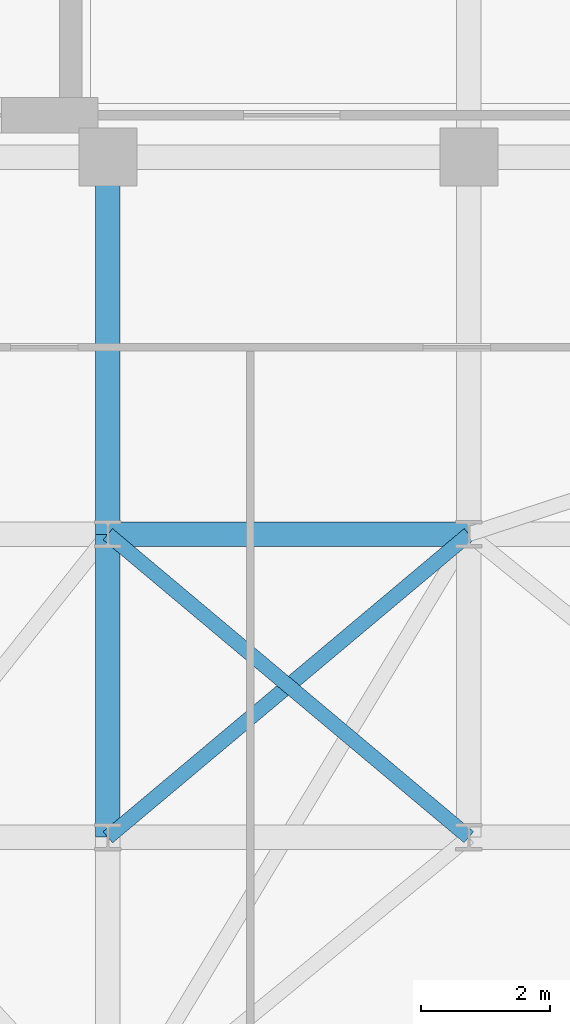
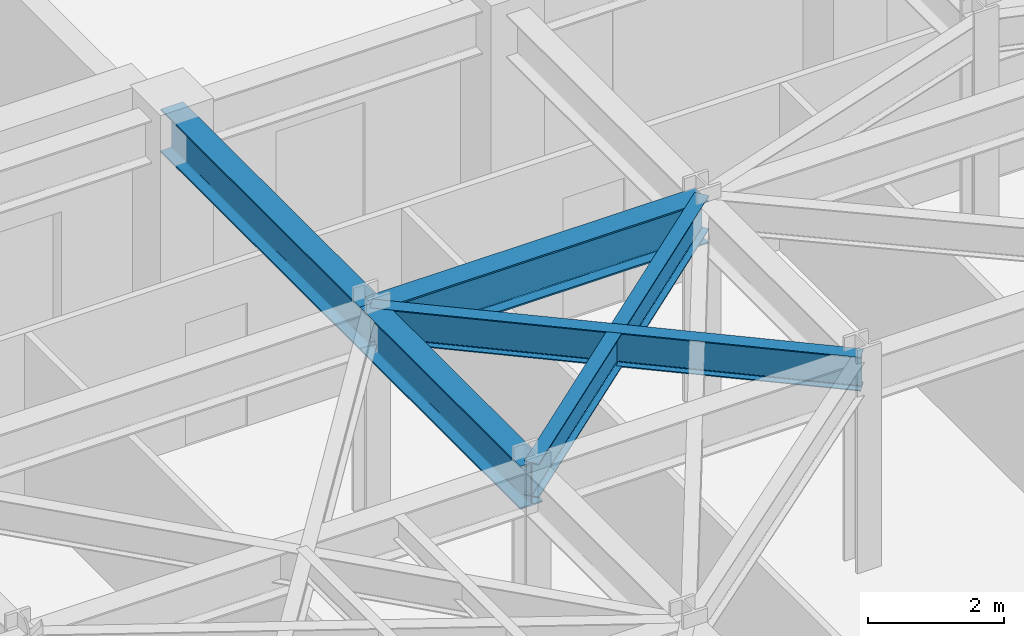
# One storey, part 11 of 26: 5 beams.
"""IFC4 building model written with IfcOpenShell, lengths in metres."""

import ifcopenshell
import ifcopenshell.guid

model = None  # the IFC model being written
_history = None  # IfcOwnerHistory: only IFC2X3 demands one
_inside = {}  # id of a spatial element -> (the spatial element, [elements in it])
_under = {}  # id of a project, library or spatial element -> (it, [spatial elements below it])
_declared = {}  # id of a project -> (the project, [libraries it declares])
_typed = {}  # id of a type object -> (the type object, [elements of that type])
_made_of = {}  # id of a material, layer set ... -> (it, [elements and type objects made of it])


def new_model(schema):
    """Start an empty IFC model of exactly this schema.

    Asked for "IFC4X3", IfcOpenShell would pick the latest addendum, in which some entities
    have other attributes; the version numbers below select the first issue.
    IFC2X3 requires an IfcOwnerHistory on every rooted entity: one is made here for all.
    """
    global model, _history
    if schema == "IFC4X3":
        model = ifcopenshell.file(schema_version=(4, 3, 0, 0))
    else:
        model = ifcopenshell.file(schema=schema)
    _inside.clear()
    _under.clear()
    _declared.clear()
    _typed.clear()
    _made_of.clear()
    _history = None
    if model.schema == "IFC2X3":
        org = make("IfcOrganization", Name="unknown")
        user = make(
            "IfcPersonAndOrganization",
            ThePerson=make("IfcPerson", FamilyName="unknown"),
            TheOrganization=org,
        )
        app = make(
            "IfcApplication",
            ApplicationDeveloper=org,
            Version="unknown",
            ApplicationFullName="unknown",
            ApplicationIdentifier="unknown",
        )
        _history = make(
            "IfcOwnerHistory",
            OwningUser=user,
            OwningApplication=app,
            ChangeAction="ADDED",
            CreationDate=0,
        )
    return model


def make(cls, **values):
    """One entity of the class cls with the attributes given. An attribute that is None is left unset."""
    return model.create_entity(
        cls, **{name: value for name, value in values.items() if value is not None}
    )


def rooted(cls, **values):
    """An entity with a GlobalId (a new one), such as an element, a storey or a relation."""
    return make(cls, GlobalId=ifcopenshell.guid.new(), OwnerHistory=_history, **values)


def si_unit(unit_type, name, prefix=None):
    """IfcSIUnit, for example si_unit("LENGTHUNIT", "METRE", prefix="MILLI")."""
    return make("IfcSIUnit", UnitType=unit_type, Prefix=prefix, Name=name)


def assignment(units):
    """IfcUnitAssignment: the units of a project."""
    return None if units is None else make("IfcUnitAssignment", Units=units)


def point(xyz):
    """IfcCartesianPoint."""
    return None if xyz is None else make("IfcCartesianPoint", Coordinates=xyz)


def direction(xyz):
    """IfcDirection."""
    return None if xyz is None else make("IfcDirection", DirectionRatios=xyz)


def frame(location, z_axis=None, x_axis=None):
    """IfcAxis2Placement3D, a coordinate frame: its origin and axes. An axis left out is left unset."""
    return make(
        "IfcAxis2Placement3D",
        Location=point(location),
        Axis=direction(z_axis),
        RefDirection=direction(x_axis),
    )


def frame_2d(location, x_axis=None):
    """IfcAxis2Placement2D, a coordinate frame in the plane: its origin and x axis."""
    return make(
        "IfcAxis2Placement2D", Location=point(location), RefDirection=direction(x_axis)
    )


def origin():
    """The frame at (0, 0, 0) with its axes left unset."""
    return frame((0.0, 0.0, 0.0))


def origin_2d():
    """The frame at (0, 0) in the plane with its x axis left unset."""
    return frame_2d((0.0, 0.0))


def place(relative_to, where):
    """IfcLocalPlacement: puts the frame where relative to a parent placement (None: the world)."""
    return make(
        "IfcLocalPlacement", PlacementRelTo=relative_to, RelativePlacement=where
    )


def context(
    kind, dimensions, precision=None, world=None, true_north=None, identifier=None
):
    """IfcGeometricRepresentationContext, for example the 3D "Model" context."""
    return make(
        "IfcGeometricRepresentationContext",
        ContextIdentifier=identifier,
        ContextType=kind,
        CoordinateSpaceDimension=dimensions,
        Precision=precision,
        WorldCoordinateSystem=world,
        TrueNorth=true_north,
    )


def subcontext(parent, identifier, kind, view, scale=None):
    """IfcGeometricRepresentationSubContext, for example "Body" below "Model"."""
    return make(
        "IfcGeometricRepresentationSubContext",
        ContextIdentifier=identifier,
        ContextType=kind,
        ParentContext=parent,
        TargetScale=scale,
        TargetView=view,
    )


def project(units=None, contexts=None):
    """IfcProject with its units and contexts."""
    return rooted(
        "IfcProject",
        Name="project",
        RepresentationContexts=contexts,
        UnitsInContext=assignment(units),
    )


def spatial(cls, under=None, at=None, **own):
    """A site, building, storey or space (cls), placed at a placement, below another one or the project."""
    s = rooted(cls, ObjectPlacement=at, **own)
    if under is not None:
        _under.setdefault(under.id(), (under, []))[1].append(s)
    return s


def profile(cls, at=None, kind="AREA", **sizes):
    """A parametric profile (cls). Its sizes go by their IFC names, for example OverallWidth=200.0."""
    return make(cls, ProfileType=kind, Position=at, **sizes)


def i_section(**sizes):
    """IfcIShapeProfileDef."""
    return profile("IfcIShapeProfileDef", **sizes)


def extrude(swept, where, along, depth):
    """IfcExtrudedAreaSolid: the profile swept, set in the frame where, extruded along a direction by depth."""
    return make(
        "IfcExtrudedAreaSolid",
        SweptArea=swept,
        Position=where,
        ExtrudedDirection=direction(along),
        Depth=depth,
    )


def shape(context_of_items, identifier, shape_type, items):
    """IfcShapeRepresentation: the items that make up one representation, for example the "Body"."""
    return make(
        "IfcShapeRepresentation",
        ContextOfItems=context_of_items,
        RepresentationIdentifier=identifier,
        RepresentationType=shape_type,
        Items=items,
    )


def material(Name=None, Category=None):
    """IfcMaterial."""
    return make("IfcMaterial", Name=Name, Category=Category)


def material_profile(
    of_material, cross_section, Name=None, Category=None, Priority=None
):
    """IfcMaterialProfile: a cross section and its material."""
    return make(
        "IfcMaterialProfile",
        Name=Name,
        Material=of_material,
        Profile=cross_section,
        Priority=Priority,
        Category=Category,
    )


def profile_set(profiles, Name=None, composite=None):
    """IfcMaterialProfileSet."""
    return make(
        "IfcMaterialProfileSet",
        Name=Name,
        MaterialProfiles=profiles,
        CompositeProfile=composite,
    )


def made_of(thing, what):
    """Note that an element or type object is made of a material, layer set ...; save() writes the relation."""
    if what is not None:
        _made_of.setdefault(what.id(), (what, []))[1].append(thing)
    return thing


def type_object(cls, material=None, **own):
    """A type object (cls), such as IfcWallType, which elements share."""
    return made_of(rooted(cls, **own), material)


def element(
    cls,
    number,
    at=None,
    inside=None,
    cuts=None,
    type_object=None,
    material=None,
    context=None,
    identifier="Body",
    shape_type=None,
    held_by="IfcProductDefinitionShape",
    body=None,
    shapes=None,
    **own,
):
    """One element of the class cls, such as IfcWall. Its Tag is "e" and its number.

    at: its placement. inside: the storey or other place that contains it. cuts: it is an
    opening in that element (IfcRelVoidsElement). A single representation is given by context,
    identifier, shape_type and body (its items); several are given by shapes. held_by: the class
    of the entity that holds the representations. save() writes the other relations.
    """
    e = rooted(cls, Tag="e%d" % number, ObjectPlacement=at, **own)
    if body is not None:
        shapes = [shape(context, identifier, shape_type, body)]
    if shapes is not None:
        e.Representation = make(held_by, Representations=shapes)
    if inside is not None:
        _inside.setdefault(inside.id(), (inside, []))[1].append(e)
    if cuts is not None:
        rooted(
            "IfcRelVoidsElement", RelatingBuildingElement=cuts, RelatedOpeningElement=e
        )
    if type_object is not None:
        _typed.setdefault(type_object.id(), (type_object, []))[1].append(e)
    return made_of(e, material)


def aggregate(whole, parts):
    """IfcRelAggregates: a whole, such as a stair, and the parts it consists of."""
    return rooted("IfcRelAggregates", RelatingObject=whole, RelatedObjects=parts)


def save(model, path):
    """Write the relations noted so far, then the file.

    IfcRelAggregates (storeys below a building ...), IfcRelContainedInSpatialStructure (elements
    in a storey), IfcRelDefinesByType, IfcRelAssociatesMaterial and IfcRelDeclares: one each for
    every whole, place, type object, material and project.
    """
    for whole, parts in _under.values():
        aggregate(whole, parts)
    for where, things in _inside.values():
        rooted(
            "IfcRelContainedInSpatialStructure",
            RelatedElements=things,
            RelatingStructure=where,
        )
    for kind, things in _typed.values():
        rooted("IfcRelDefinesByType", RelatedObjects=things, RelatingType=kind)
    for what, things in _made_of.values():
        rooted("IfcRelAssociatesMaterial", RelatedObjects=things, RelatingMaterial=what)
    for by, libraries in _declared.values():
        rooted("IfcRelDeclares", RelatingContext=by, RelatedDefinitions=libraries)
    model.write(path)


model = new_model("IFC4")

# Units and contexts
model_context = context("Model", 3, precision=1e-05, world=origin(), true_north=direction((0.0, 1.0)))
body_context = subcontext(model_context, "Body", "Model", "MODEL_VIEW")
ifc_project = project(units=[si_unit("LENGTHUNIT", "METRE"), si_unit("AREAUNIT", "SQUARE_METRE"), si_unit("VOLUMEUNIT", "CUBIC_METRE"), si_unit("PLANEANGLEUNIT", "RADIAN"), si_unit("MASSUNIT", "GRAM", prefix="KILO")], contexts=[model_context])

# Site, building, storey
site_placement = place(None, origin())
site = spatial("IfcSite", under=ifc_project, at=site_placement, CompositionType="ELEMENT")
building_placement = place(site_placement, origin())
building = spatial("IfcBuilding", under=site, at=building_placement, Name="Kravanh Interchange Tower", CompositionType="ELEMENT")
storey_placement = place(building_placement, frame((0.0, 0.0, 180.5)))
storey = spatial("IfcBuildingStorey", under=building, at=storey_placement, Name="L43", CompositionType="ELEMENT", Elevation=180.5)

# Beams
ifc_material_1 = material(Name="Structural Steel S355", Category="steel")
ifc_material_profile_1 = material_profile(ifc_material_1, i_section(OverallWidth=0.381103515625, OverallDepth=0.77294921875, WebThickness=0.0166015625, FlangeThickness=0.027099609375, FilletRadius=0.02490234375, at=origin_2d()), Name="W30X173")
ifc_profile_set_1 = profile_set([ifc_material_profile_1], Name="Structural Steel S355")
beam_type_1 = type_object("IfcBeamType", Name="Floor Beam W30X173 Structural Steel S355", PredefinedType="BEAM", material=ifc_profile_set_1)
beam_1_placement = place(storey_placement, frame((27.199951171875, 37.35009765625, 3.368408203125), z_axis=(0.0, -1.0, 0.0), x_axis=(1.0, 0.0, 0.0)))
element("IfcBeam", 1, at=beam_1_placement, inside=storey, type_object=beam_type_1, Name="L43 Primary Floor Girder 24", PredefinedType="BEAM", context=body_context, shape_type="SweptSolid", body=[
    extrude(i_section(OverallWidth=0.381103515625, OverallDepth=0.77294921875, WebThickness=0.0166015625, FlangeThickness=0.027099609375, FilletRadius=0.02490234375, at=origin_2d()), origin(), (0.0, 0.0, 1.0), 5.85009765625),
])
beam_2_placement = place(storey_placement, frame((27.199951171875, 26.800048828125, 3.368408203125), z_axis=(0.0, 1.0, 0.0), x_axis=(-1.0, 0.0, 0.0)))
element("IfcBeam", 2, at=beam_2_placement, inside=storey, type_object=beam_type_1, Name="L43 Primary Floor Girder 38", PredefinedType="BEAM", context=body_context, shape_type="SweptSolid", body=[
    extrude(i_section(OverallWidth=0.381103515625, OverallDepth=0.77294921875, WebThickness=0.0166015625, FlangeThickness=0.027099609375, FilletRadius=0.02490234375, at=origin_2d()), origin(), (0.0, 0.0, 1.0), 4.699951171875),
])
beam_3_placement = place(storey_placement, frame((27.199951171875, 31.5, 3.368408203125), z_axis=(1.0, 0.0, 0.0), x_axis=(0.0, 1.0, 0.0)))
element("IfcBeam", 3, at=beam_3_placement, inside=storey, type_object=beam_type_1, Name="L43 Primary Floor Girder 64", PredefinedType="BEAM", context=body_context, shape_type="SweptSolid", body=[
    extrude(i_section(OverallWidth=0.381103515625, OverallDepth=0.77294921875, WebThickness=0.0166015625, FlangeThickness=0.027099609375, FilletRadius=0.02490234375, at=origin_2d()), origin(), (0.0, 0.0, 1.0), 5.60009765625),
])
ifc_material_2 = material(Name="Structural Steel S355", Category="steel")
ifc_material_profile_2 = material_profile(ifc_material_2, i_section(OverallWidth=0.22802734375, OverallDepth=0.60791015625, WebThickness=0.01123046875, FlangeThickness=0.017333984375, FilletRadius=0.02197265625, at=origin_2d()), Name="W24X76")
ifc_profile_set_2 = profile_set([ifc_material_profile_2], Name="Structural Steel S355")
beam_type_2 = type_object("IfcBeamType", Name="Floor Spandrel W24X76 Structural Steel S355", PredefinedType="SPANDREL", material=ifc_profile_set_2)
for number, where, z_axis, x_axis, name in (
    (4, (27.199951171875, 26.800048828125, 3.450927734375), (0.765983062929, 0.642860752657, 0.0), (-0.642860752657, 0.765983062929, 0.0), "L43 Perimeter Spandrel 40"),
    (5, (32.800048828125, 26.800048828125, 3.450927734375), (-0.765983062929, 0.642860752657, 0.0), (-0.642860752657, -0.765983062929, 0.0), "L43 Perimeter Spandrel 44"),
):
    element("IfcBeam", number, at=place(storey_placement, frame(where, z_axis=z_axis, x_axis=x_axis)), inside=storey, type_object=beam_type_2, Name=name, PredefinedType="SPANDREL", context=body_context, shape_type="SweptSolid", body=[
        extrude(i_section(OverallWidth=0.22802734375, OverallDepth=0.60791015625, WebThickness=0.01123046875, FlangeThickness=0.017333984375, FilletRadius=0.02197265625, at=origin_2d()), origin(), (0.0, 0.0, 1.0), 7.31103515625),
    ])

save(model, "model.ifc")
